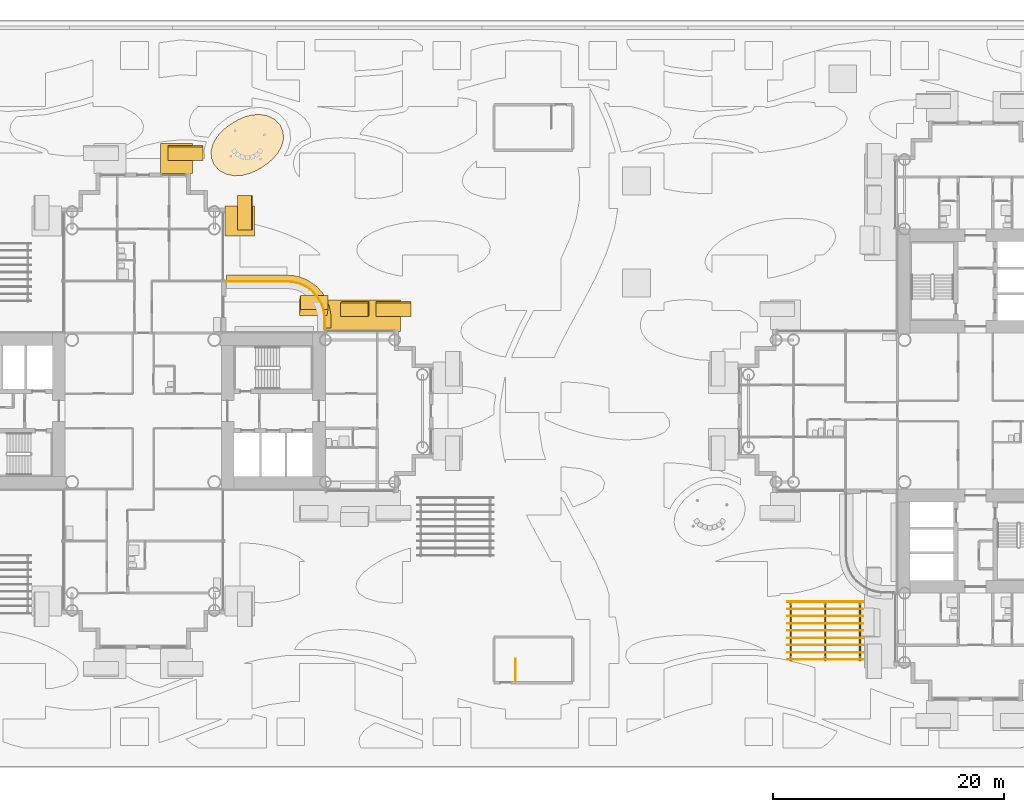
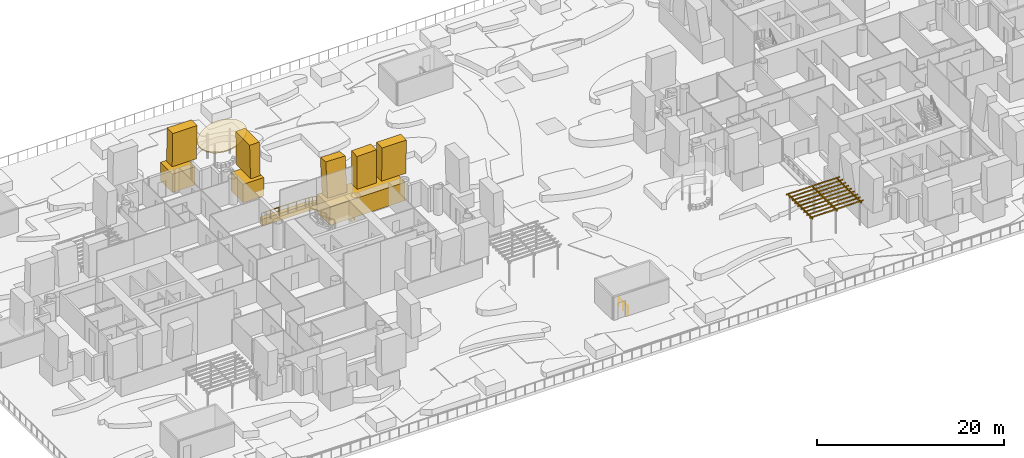
# One storey, part 37 of 40: 22 coverings, 2 railings.
"""IFC4 building model written with IfcOpenShell, lengths in metres."""

from ifc_helpers import new_model, si_unit, direction, frame, origin, origin_2d, place, context, subcontext, project, spatial, polyline, rectangle, circle, outline, extrude, material, layer, layer_set, material_profile, profile_set, type_object, element, save


model = new_model("IFC4")

# Units and contexts
model_context = context("Model", 3, precision=1e-05, world=origin(), true_north=direction((0.0, 1.0)))
body_context = subcontext(model_context, "Body", "Model", "MODEL_VIEW")
ifc_project = project(units=[si_unit("LENGTHUNIT", "METRE"), si_unit("AREAUNIT", "SQUARE_METRE"), si_unit("VOLUMEUNIT", "CUBIC_METRE"), si_unit("PLANEANGLEUNIT", "RADIAN"), si_unit("MASSUNIT", "GRAM", prefix="KILO")], contexts=[model_context])

# Site, building, storey
site_placement = place(None, origin())
site = spatial("IfcSite", under=ifc_project, at=site_placement, CompositionType="ELEMENT")
building_placement = place(site_placement, origin())
building = spatial("IfcBuilding", under=site, at=building_placement, Name="Ipe Terrace Towers", CompositionType="ELEMENT")
storey_placement = place(building_placement, frame((0.0, 0.0, 24.5)))
storey = spatial("IfcBuildingStorey", under=building, at=storey_placement, Name="L05", CompositionType="ELEMENT", Elevation=24.5)

# Covering
ifc_material_1 = material(Name="Concrete C40/50 cast in place", Category="concrete")
ifc_layer_1 = layer(ifc_material_1, 0.14990234375)
ifc_layer_set_1 = layer_set([ifc_layer_1], Name="GARDEN SHADE CANOPY 150")
covering_type_1 = type_object("IfcCoveringType", Name="GARDEN SHADE CANOPY 150", PredefinedType="USERDEFINED", material=ifc_layer_set_1)
covering_1_placement = place(storey_placement, frame((0.0, 0.0, 3.179931640625)))
element("IfcCovering", 1, at=covering_1_placement, inside=storey, type_object=covering_type_1, Name="garden shade canopy", ObjectType="CANOPY", PredefinedType="USERDEFINED", context=body_context, shape_type="SweptSolid", body=[
    extrude(outline(polyline([(-23.89599609375, 24.1298828125), (-23.868896484375, 23.485107421875), (-24.0380859375, 22.863037109375), (-24.35400390625, 22.30810546875), (-24.757080078125, 21.837890625), (-25.2060546875, 21.444091796875), (-25.68408203125, 21.10302734375), (-26.200927734375, 20.803955078125), (-26.77490234375, 20.553955078125), (-27.4169921875, 20.385986328125), (-28.10595703125, 20.345947265625), (-28.791015625, 20.47509765625), (-29.39892578125, 20.7900390625), (-29.85400390625, 21.27197265625), (-30.10400390625, 21.8701171875), (-30.131103515625, 22.514892578125), (-29.9619140625, 23.136962890625), (-29.64599609375, 23.69189453125), (-29.242919921875, 24.162109375), (-28.7939453125, 24.555908203125), (-28.31591796875, 24.89697265625), (-27.799072265625, 25.196044921875), (-27.22509765625, 25.446044921875), (-26.5830078125, 25.614013671875), (-25.89404296875, 25.654052734375), (-25.208984375, 25.52490234375), (-24.60107421875, 25.2099609375), (-24.14599609375, 24.72802734375), (-23.89599609375, 24.1298828125)])), origin(), (0.0, 0.0, 1.0), 0.150146484375),
])

# Railing
ifc_material_2 = material(Name="Stainless steel S316", Category="steel")
railing_type_1 = type_object("IfcRailingType", Name="GUARD 1100", PredefinedType="BALUSTRADE", material=ifc_material_2)
railing_1_placement = place(storey_placement, frame((-20.300048828125, 7.070068359375, -0.02001953125)))
element("IfcRailing", 2, at=railing_1_placement, inside=storey, type_object=railing_type_1, Name="guard", PredefinedType="BALUSTRADE", context=body_context, shape_type="SweptSolid", body=[
    extrude(circle(Radius=0.02392578125, at=origin_2d()), frame((0.0, 0.0, 1.076171875), z_axis=(0.0, 1.0, 0.0), x_axis=(-1.0, 0.0, 0.0)), (0.0, 0.0, 1.0), 0.8779296875),
    extrude(circle(Radius=0.02392578125, at=origin_2d()), frame((0.0, 0.8779296875, 1.076171875), z_axis=(-0.065190546171, 0.997872833927, 0.0), x_axis=(-0.997872833927, -0.065190546171, 0.0)), (0.0, 0.0, 1.0), 0.427001953125),
    extrude(circle(Radius=0.02392578125, at=origin_2d()), frame((-0.02783203125, 1.303955078125, 1.076171875), z_axis=(-0.195232649896, 0.980756958892, 0.0), x_axis=(-0.980756958892, -0.195232649896, 0.0)), (0.0, 0.0, 1.0), 0.42529296875),
    extrude(circle(Radius=0.02392578125, at=origin_2d()), frame((-0.11083984375, 1.720947265625, 1.076171875), z_axis=(-0.320184280026, 0.947355280148, 0.0), x_axis=(-0.947355280148, -0.320184280026, 0.0)), (0.0, 0.0, 1.0), 0.425537109375),
    extrude(circle(Radius=0.02392578125, at=origin_2d()), frame((-0.2470703125, 2.1240234375, 1.076171875), z_axis=(-0.444455160923, 0.895801099535, 0.0), x_axis=(-0.895801099535, -0.444455160923, 0.0)), (0.0, 0.0, 1.0), 0.425048828125),
    extrude(circle(Radius=0.02392578125, at=origin_2d()), frame((-0.43603515625, 2.5048828125, 1.076171875), z_axis=(-0.55549616226, 0.83151910003, 0.0), x_axis=(-0.83151910003, -0.55549616226, 0.0)), (0.0, 0.0, 1.0), 0.424560546875),
    extrude(circle(Radius=0.02392578125, at=origin_2d()), frame((-0.671875, 2.85791015625, 1.076171875), z_axis=(-0.658463964434, 0.752612255774, 0.0), x_axis=(-0.752612255774, -0.658463964434, 0.0)), (0.0, 0.0, 1.0), 0.42529296875),
    extrude(circle(Radius=0.02392578125, at=origin_2d()), frame((-0.951904296875, 3.177978515625, 1.076171875), z_axis=(-0.752612255774, 0.658463964434, 0.0), x_axis=(-0.658463964434, -0.752612255774, 0.0)), (0.0, 0.0, 1.0), 0.42529296875),
    extrude(circle(Radius=0.02392578125, at=origin_2d()), frame((-1.27197265625, 3.4580078125, 1.076171875), z_axis=(-0.83151910003, 0.55549616226, 0.0), x_axis=(-0.55549616226, -0.83151910003, 0.0)), (0.0, 0.0, 1.0), 0.424560546875),
    extrude(circle(Radius=0.02392578125, at=origin_2d()), frame((-1.625, 3.69384765625, 1.076171875), z_axis=(-0.895801099535, 0.444455160923, 0.0), x_axis=(-0.444455160923, -0.895801099535, 0.0)), (0.0, 0.0, 1.0), 0.425048828125),
    extrude(circle(Radius=0.02392578125, at=origin_2d()), frame((-2.005859375, 3.8828125, 1.076171875), z_axis=(-0.947355280148, 0.320184280026, 0.0), x_axis=(-0.320184280026, -0.947355280148, 0.0)), (0.0, 0.0, 1.0), 0.425537109375),
    extrude(circle(Radius=0.02392578125, at=origin_2d()), frame((-2.408935546875, 4.01904296875, 1.076171875), z_axis=(-0.980756958892, 0.195232649896, 0.0), x_axis=(-0.195232649896, -0.980756958892, 0.0)), (0.0, 0.0, 1.0), 0.42529296875),
    extrude(circle(Radius=0.02392578125, at=origin_2d()), frame((-2.825927734375, 4.10205078125, 1.076171875), z_axis=(-0.997872833927, 0.065190546171, 0.0), x_axis=(-0.065190546171, -0.997872833927, 0.0)), (0.0, 0.0, 1.0), 0.427001953125),
    extrude(circle(Radius=0.02392578125, at=origin_2d()), frame((-3.251953125, 4.1298828125, 1.076171875), z_axis=(-1.0, 0.0, 0.0), x_axis=(0.0, -1.0, 0.0)), (0.0, 0.0, 1.0), 5.3779296875),
    extrude(circle(Radius=0.02099609375, at=origin_2d()), origin(), (0.0, 0.0, 1.0), 1.052001953125),
    extrude(circle(Radius=0.02099609375, at=origin_2d()), frame((0.0, 0.8779296875, 0.0)), (0.0, 0.0, 1.0), 1.052001953125),
    extrude(circle(Radius=0.02099609375, at=origin_2d()), frame((-0.02783203125, 1.303955078125, 0.0)), (0.0, 0.0, 1.0), 1.052001953125),
    extrude(circle(Radius=0.02099609375, at=origin_2d()), frame((-0.11083984375, 1.720947265625, 0.0)), (0.0, 0.0, 1.0), 1.052001953125),
    extrude(circle(Radius=0.02099609375, at=origin_2d()), frame((-0.2470703125, 2.1240234375, 0.0)), (0.0, 0.0, 1.0), 1.052001953125),
    extrude(circle(Radius=0.02099609375, at=origin_2d()), frame((-0.43603515625, 2.5048828125, 0.0)), (0.0, 0.0, 1.0), 1.052001953125),
    extrude(circle(Radius=0.02099609375, at=origin_2d()), frame((-0.671875, 2.85791015625, 0.0)), (0.0, 0.0, 1.0), 1.052001953125),
    extrude(circle(Radius=0.02099609375, at=origin_2d()), frame((-0.951904296875, 3.177978515625, 0.0)), (0.0, 0.0, 1.0), 1.052001953125),
    extrude(circle(Radius=0.02099609375, at=origin_2d()), frame((-1.27197265625, 3.4580078125, 0.0)), (0.0, 0.0, 1.0), 1.052001953125),
    extrude(circle(Radius=0.02099609375, at=origin_2d()), frame((-1.625, 3.69384765625, 0.0)), (0.0, 0.0, 1.0), 1.052001953125),
    extrude(circle(Radius=0.02099609375, at=origin_2d()), frame((-2.005859375, 3.8828125, 0.0)), (0.0, 0.0, 1.0), 1.052001953125),
    extrude(circle(Radius=0.02099609375, at=origin_2d()), frame((-2.408935546875, 4.01904296875, 0.0)), (0.0, 0.0, 1.0), 1.052001953125),
    extrude(circle(Radius=0.02099609375, at=origin_2d()), frame((-2.825927734375, 4.10205078125, 0.0)), (0.0, 0.0, 1.0), 1.052001953125),
    extrude(circle(Radius=0.02099609375, at=origin_2d()), frame((-3.251953125, 4.1298828125, 0.0)), (0.0, 0.0, 1.0), 1.052001953125),
    extrude(circle(Radius=0.02099609375, at=origin_2d()), frame((-4.32763671875, 4.1298828125, 0.0)), (0.0, 0.0, 1.0), 1.052001953125),
    extrude(circle(Radius=0.02099609375, at=origin_2d()), frame((-5.403076171875, 4.1298828125, 0.0)), (0.0, 0.0, 1.0), 1.052001953125),
    extrude(circle(Radius=0.02099609375, at=origin_2d()), frame((-6.478759765625, 4.1298828125, 0.0)), (0.0, 0.0, 1.0), 1.052001953125),
    extrude(circle(Radius=0.02099609375, at=origin_2d()), frame((-7.55419921875, 4.1298828125, 0.0)), (0.0, 0.0, 1.0), 1.052001953125),
    extrude(circle(Radius=0.02099609375, at=origin_2d()), frame((-8.6298828125, 4.1298828125, 0.0)), (0.0, 0.0, 1.0), 1.052001953125),
])

# Coverings
ifc_material_3 = material(Name="Steel S355", Category="steel")
ifc_layer_2 = layer(ifc_material_3, 0.10009765625)
ifc_layer_set_2 = layer_set([ifc_layer_2], Name="PERGOLA BEAM RHS 200x100x6")
covering_type_2 = type_object("IfcCoveringType", Name="PERGOLA BEAM RHS 200x100x6", PredefinedType="USERDEFINED", material=ifc_layer_set_2)
for number, where, z_axis, x_axis, name in (
    (3, (20.0, -19.0, 2.97998046875), (0.0, 0.0, 1.0), (1.0, 0.0, 0.0), "pergola beam"),
    (4, (23.0, -19.0, 2.97998046875), (0.0, 0.0, 1.0), (1.0, 0.0, 0.0), "pergola beam"),
    (5, (26.0, -19.0, 2.97998046875), (0.0, 0.0, 1.0), (1.0, 0.0, 0.0), "pergola beam"),
):
    element("IfcCovering", number, at=place(storey_placement, frame(where, z_axis=z_axis, x_axis=x_axis)), inside=storey, type_object=covering_type_2, Name=name, ObjectType="PERGOLA BEAM", PredefinedType="USERDEFINED", context=body_context, shape_type="SweptSolid", body=[
        extrude(rectangle(XDim=0.10009765625, YDim=5.199951171875, at=origin_2d()), origin(), (0.0, 0.0, 1.0), 0.199951171875),
    ])
ifc_material_4 = material(Name="Steel S355", Category="steel")
ifc_layer_3 = layer(ifc_material_4, 0.050048828125)
ifc_layer_set_3 = layer_set([ifc_layer_3], Name="PERGOLA RAFTER RHS 100x50x4")
covering_type_3 = type_object("IfcCoveringType", Name="PERGOLA RAFTER RHS 100x50x4", PredefinedType="USERDEFINED", material=ifc_layer_set_3)
for number, where, z_axis, x_axis, name in (
    (6, (23.0, -21.5, 3.179931640625), (0.0, 0.0, 1.0), (1.0, 0.0, 0.0), "pergola rafter"),
    (7, (23.0, -20.875, 3.179931640625), (0.0, 0.0, 1.0), (1.0, 0.0, 0.0), "pergola rafter"),
    (8, (23.0, -20.25, 3.179931640625), (0.0, 0.0, 1.0), (1.0, 0.0, 0.0), "pergola rafter"),
    (9, (23.0, -19.625, 3.179931640625), (0.0, 0.0, 1.0), (1.0, 0.0, 0.0), "pergola rafter"),
    (10, (23.0, -19.0, 3.179931640625), (0.0, 0.0, 1.0), (1.0, 0.0, 0.0), "pergola rafter"),
    (11, (23.0, -18.375, 3.179931640625), (0.0, 0.0, 1.0), (1.0, 0.0, 0.0), "pergola rafter"),
    (12, (23.0, -17.75, 3.179931640625), (0.0, 0.0, 1.0), (1.0, 0.0, 0.0), "pergola rafter"),
    (13, (23.0, -17.125, 3.179931640625), (0.0, 0.0, 1.0), (1.0, 0.0, 0.0), "pergola rafter"),
    (14, (23.0, -16.5, 3.179931640625), (0.0, 0.0, 1.0), (1.0, 0.0, 0.0), "pergola rafter"),
):
    element("IfcCovering", number, at=place(storey_placement, frame(where, z_axis=z_axis, x_axis=x_axis)), inside=storey, type_object=covering_type_3, Name=name, ObjectType="PERGOLA RAFTER", PredefinedType="USERDEFINED", context=body_context, shape_type="SweptSolid", body=[
        extrude(rectangle(XDim=6.60009765625, YDim=0.050048828125, at=origin_2d()), origin(), (0.0, 0.0, 1.0), 0.10009765625),
    ])
ifc_material_5 = material(Name="Concrete C50/60 precast, buff finish", Category="concrete")
ifc_layer_4 = layer(ifc_material_5, 0.5)
ifc_layer_set_4 = layer_set([ifc_layer_4], Name="STONE EDGE BAND 500 x 900")
covering_type_4 = type_object("IfcCoveringType", Name="STONE EDGE BAND 500 x 900", PredefinedType="CLADDING", material=ifc_layer_set_4)
covering_2_placement = place(storey_placement, frame((0.0, 0.0, -0.719970703125)))
element("IfcCovering", 15, at=covering_2_placement, inside=storey, type_object=covering_type_4, Name="stone edge band", PredefinedType="CLADDING", context=body_context, shape_type="SweptSolid", body=[
    extrude(outline(polyline([(-23.550048828125, 11.75), (-28.800048828125, 11.75), (-28.800048828125, 11.25), (-23.550048828125, 11.25), (-23.118896484375, 11.221923828125), (-22.696044921875, 11.137939453125), (-22.287109375, 10.9990234375), (-21.89990234375, 10.80810546875), (-21.541015625, 10.568115234375), (-21.217041015625, 10.282958984375), (-20.931884765625, 9.958984375), (-20.69189453125, 9.60009765625), (-20.5009765625, 9.212890625), (-20.362060546875, 8.803955078125), (-20.278076171875, 8.381103515625), (-20.25, 7.949951171875), (-20.25, 7.199951171875), (-19.75, 7.199951171875), (-19.75, 7.949951171875), (-19.7509765625, 7.98291015625), (-19.779052734375, 8.4130859375), (-19.7880859375, 8.47802734375), (-19.8720703125, 8.902099609375), (-19.888916015625, 8.965087890625), (-20.028076171875, 9.3740234375), (-20.052978515625, 9.43408203125), (-20.243896484375, 9.821044921875), (-20.27587890625, 9.8779296875), (-20.51611328125, 10.237060546875), (-20.555908203125, 10.2890625), (-20.841064453125, 10.613037109375), (-20.886962890625, 10.658935546875), (-21.2109375, 10.944091796875), (-21.262939453125, 10.98388671875), (-21.6220703125, 11.22412109375), (-21.678955078125, 11.256103515625), (-22.06591796875, 11.447021484375), (-22.1259765625, 11.471923828125), (-22.534912109375, 11.611083984375), (-22.597900390625, 11.6279296875), (-23.02197265625, 11.7119140625), (-23.0869140625, 11.720947265625), (-23.51708984375, 11.7490234375), (-23.550048828125, 11.75)])), origin(), (0.0, 0.0, 1.0), 0.89990234375),
])
ifc_material_6 = material(Name="Concrete C50/60 precast, buff finish", Category="concrete")
ifc_material_profile_1 = material_profile(ifc_material_6, rectangle(XDim=2.39990234375, YDim=1.199951171875, at=origin_2d()), Name="STONE FIN 2400 x 1200")
ifc_profile_set_1 = profile_set([ifc_material_profile_1], Name="Concrete C50/60 precast, buff finish")
covering_type_5 = type_object("IfcCoveringType", Name="STONE FIN 2400 x 1200", PredefinedType="USERDEFINED", material=ifc_profile_set_1)
covering_3_placement = place(storey_placement, frame((-17.64990234375, 8.8701171875, 2.39990234375), z_axis=(-0.020241188198, -0.025453987351, 0.999471054522), x_axis=(-0.999795126164, 0.00051532453, -0.020234627259)))
element("IfcCovering", 16, at=covering_3_placement, inside=storey, type_object=covering_type_5, Name="stone fin", ObjectType="FIN", PredefinedType="USERDEFINED", context=body_context, shape_type="SweptSolid", body=[
    extrude(rectangle(XDim=2.39990234375, YDim=1.199951171875, at=origin_2d()), origin(), (0.0, 0.0, 1.0), 4.402587890625),
])
covering_4_placement = place(storey_placement, frame((-21.300048828125, 8.8701171875, 2.39990234375), z_axis=(0.020108517953, 0.117070138766, 0.992920052227), x_axis=(-0.999797803311, 0.002354583069, 0.019970188603)))
element("IfcCovering", 17, at=covering_4_placement, inside=storey, type_object=covering_type_5, Name="stone fin", ObjectType="FIN", PredefinedType="USERDEFINED", context=body_context, shape_type="SweptSolid", body=[
    extrude(rectangle(XDim=2.39990234375, YDim=1.199951171875, at=origin_2d()), origin(), (0.0, 0.0, 1.0), 4.431640625),
])
ifc_material_7 = material(Name="Concrete C50/60 precast, buff finish", Category="concrete")
ifc_material_profile_2 = material_profile(ifc_material_7, rectangle(XDim=2.56005859375, YDim=2.39990234375, at=origin_2d()), Name="STONE FIN BASE SPANDREL 2560 x 2400")
ifc_profile_set_2 = profile_set([ifc_material_profile_2], Name="Concrete C50/60 precast, buff finish")
covering_type_6 = type_object("IfcCoveringType", Name="STONE FIN BASE SPANDREL 2560 x 2400", PredefinedType="CLADDING", material=ifc_profile_set_2)
covering_5_placement = place(storey_placement, frame((-27.659912109375, 15.14990234375, 1.199951171875), z_axis=(0.0, 1.0, 0.0), x_axis=(1.0, 0.0, 0.0)))
element("IfcCovering", 18, at=covering_5_placement, inside=storey, type_object=covering_type_6, Name="stone fin spandrel", PredefinedType="CLADDING", context=body_context, shape_type="SweptSolid", body=[
    extrude(rectangle(XDim=2.56005859375, YDim=2.39990234375, at=origin_2d()), origin(), (0.0, 0.0, 1.0), 2.60009765625),
])
covering_6_placement = place(storey_placement, frame((-31.75, 21.840087890625, 1.199951171875), z_axis=(-1.0, 0.0, 0.0), x_axis=(0.0, 1.0, 0.0)))
element("IfcCovering", 19, at=covering_6_placement, inside=storey, type_object=covering_type_6, Name="stone fin spandrel", PredefinedType="CLADDING", context=body_context, shape_type="SweptSolid", body=[
    extrude(rectangle(XDim=2.56005859375, YDim=2.39990234375, at=origin_2d()), origin(), (0.0, 0.0, 1.0), 2.75),
])
ifc_material_8 = material(Name="Concrete C50/60 precast, buff finish", Category="concrete")
ifc_material_profile_3 = material_profile(ifc_material_8, rectangle(XDim=2.760009765625, YDim=2.39990234375, at=origin_2d()), Name="STONE FIN BASE SPANDREL 2760 x 2400")
ifc_profile_set_3 = profile_set([ifc_material_profile_3], Name="Concrete C50/60 precast, buff finish")
covering_type_7 = type_object("IfcCoveringType", Name="STONE FIN BASE SPANDREL 2760 x 2400", PredefinedType="CLADDING", material=ifc_profile_set_3)
covering_7_placement = place(storey_placement, frame((-13.75, 8.239990234375, 1.199951171875), z_axis=(-1.0, 0.0, 0.0), x_axis=(0.0, 1.0, 0.0)))
element("IfcCovering", 20, at=covering_7_placement, inside=storey, type_object=covering_type_7, Name="stone fin spandrel", PredefinedType="CLADDING", context=body_context, shape_type="SweptSolid", body=[
    extrude(rectangle(XDim=2.760009765625, YDim=2.39990234375, at=origin_2d()), origin(), (0.0, 0.0, 1.0), 9.25),
])
ifc_material_9 = material(Name="Concrete C50/60 precast, buff finish", Category="concrete")
ifc_material_profile_4 = material_profile(ifc_material_9, rectangle(XDim=3.0, YDim=1.199951171875, at=origin_2d()), Name="STONE FIN CORNER 3000 x 1200")
ifc_profile_set_4 = profile_set([ifc_material_profile_4], Name="Concrete C50/60 precast, buff finish")
covering_type_8 = type_object("IfcCoveringType", Name="STONE FIN CORNER 3000 x 1200", PredefinedType="USERDEFINED", material=ifc_profile_set_4)
for number, where, z_axis, x_axis, name in (
    (21, (-14.35009765625, 8.8701171875, 2.39990234375), (0.0, -0.025459203276, 0.999675861952), (-1.0, 0.0, 0.0), "stone fin"),
    (22, (-27.1298828125, 17.14990234375, 2.39990234375), (-0.025459203276, 0.0, 0.999675861952), (0.0, 1.0, 0.0), "stone fin"),
    (23, (-32.35009765625, 22.3701171875, 2.39990234375), (0.0, -0.025459203276, 0.999675861952), (-1.0, 0.0, 0.0), "stone fin"),
):
    element("IfcCovering", number, at=place(storey_placement, frame(where, z_axis=z_axis, x_axis=x_axis)), inside=storey, type_object=covering_type_8, Name=name, ObjectType="FIN", PredefinedType="USERDEFINED", context=body_context, shape_type="SweptSolid", body=[
        extrude(rectangle(XDim=3.0, YDim=1.199951171875, at=origin_2d()), origin(), (0.0, 0.0, 1.0), 4.401611328125),
    ])

# Railing
ifc_material_10 = material(Name="Steel S355", Category="steel")
railing_type_2 = type_object("IfcRailingType", Name="Stair guard 1100", PredefinedType="GUARDRAIL", material=ifc_material_10)
railing_2_placement = place(storey_placement, frame((-3.800048828125, -23.39990234375, 0.0)))
element("IfcRailing", 24, at=railing_2_placement, inside=storey, type_object=railing_type_2, Name="L05 PS5 top well guard 1", PredefinedType="GUARDRAIL", context=body_context, shape_type="SweptSolid", body=[
    extrude(circle(Radius=0.02392578125, at=origin_2d()), frame((0.0, 0.0, 1.076171875), z_axis=(0.0, 1.0, 0.0), x_axis=(-1.0, 0.0, 0.0)), (0.0, 0.0, 1.0), 1.949951171875),
    extrude(circle(Radius=0.02099609375, at=origin_2d()), origin(), (0.0, 0.0, 1.0), 1.052001953125),
    extrude(circle(Radius=0.02099609375, at=origin_2d()), frame((0.0, 0.97509765625, 0.0)), (0.0, 0.0, 1.0), 1.052001953125),
    extrude(circle(Radius=0.02099609375, at=origin_2d()), frame((0.0, 1.949951171875, 0.0)), (0.0, 0.0, 1.0), 1.052001953125),
])

save(model, "model.ifc")
